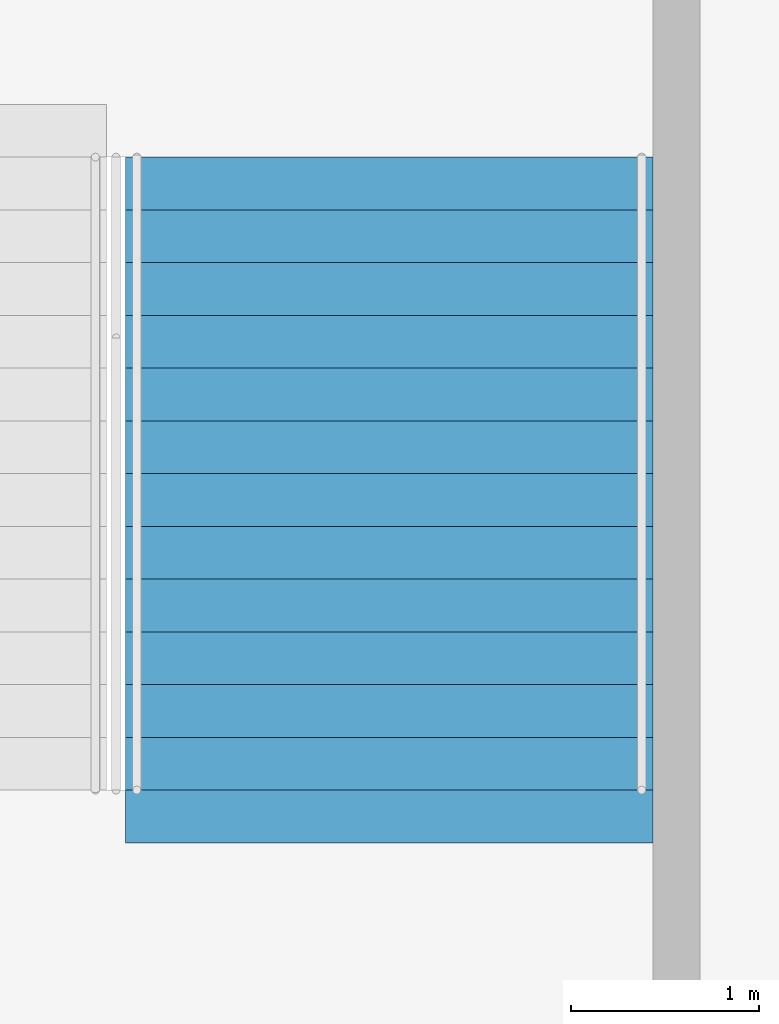
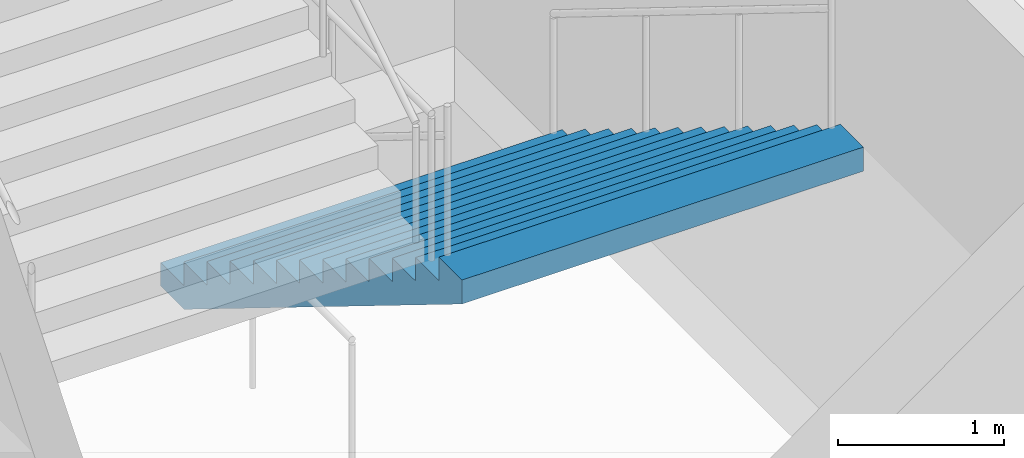
# One storey, part 97 of 177: 1 stair flight, 1 element without a shape of its own.
"""IFC4 building model written with IfcOpenShell, lengths in metres."""

from ifc_helpers import new_model, si_unit, direction, frame, origin, place, context, subcontext, project, spatial, faceted_brep, material, type_object, element, aggregate, save


model = new_model("IFC4")

# Units and contexts
model_context = context("Model", 3, precision=1e-05, world=origin(), true_north=direction((0.0, 1.0)))
body_context = subcontext(model_context, "Body", "Model", "MODEL_VIEW")
ifc_project = project(units=[si_unit("LENGTHUNIT", "METRE"), si_unit("AREAUNIT", "SQUARE_METRE"), si_unit("VOLUMEUNIT", "CUBIC_METRE"), si_unit("PLANEANGLEUNIT", "RADIAN"), si_unit("MASSUNIT", "GRAM", prefix="KILO")], contexts=[model_context])

# Site, building, storey
site_placement = place(None, origin())
site = spatial("IfcSite", under=ifc_project, at=site_placement, CompositionType="ELEMENT")
building_placement = place(site_placement, origin())
building = spatial("IfcBuilding", under=site, at=building_placement, Name="Ogive Plaza Stadium", CompositionType="ELEMENT")
storey_placement = place(building_placement, frame((0.0, 0.0, 18.0)))
storey = spatial("IfcBuildingStorey", under=building, at=storey_placement, Name="L04", CompositionType="ELEMENT", Elevation=18.0)

# Stair, stair flight
ifc_material_1 = material(Name="Concrete C40/50", Category="concrete")
stair_type = type_object("IfcStairType", Name="Exit stair", PredefinedType="STRAIGHT_RUN_STAIR", material=ifc_material_1)
stair_placement = place(storey_placement, origin())
stair = element("IfcStair", 1, at=stair_placement, inside=storey, type_object=stair_type, Name="Exit stair ST16B L04 to L05", PredefinedType="STRAIGHT_RUN_STAIR")
ifc_material_2 = material(Name="Concrete C40/50", Category="concrete")
stair_flight_type = type_object("IfcStairFlightType", Name="Exit stair flight", PredefinedType="STRAIGHT", material=ifc_material_2)
stair_flight_placement = place(storey_placement, frame((-15.97509765625, -94.85009765625, 0.0), z_axis=(0.0, 0.0, 1.0), x_axis=(0.0, -1.0, 0.0)))
stair_flight = element("IfcStairFlight", 2, at=stair_flight_placement, type_object=stair_flight_type, Name="ST16B flight 1", NumberOfRisers=13, NumberOfTreads=12, PredefinedType="STRAIGHT", RiserHeight=0.173076923, TreadLength=0.28, context=body_context, shape_type="Brep", body=[
    faceted_brep([(0.28515625, -1.39990234375, 0.0), (3.639892578125, -1.39990234375, 2.07373046875), (3.639892578125, -1.39990234375, 2.25), (3.360107421875, -1.39990234375, 2.25), (3.360107421875, -1.39990234375, 2.076904296875), (3.080078125, -1.39990234375, 2.076904296875), (3.080078125, -1.39990234375, 1.90380859375), (2.800048828125, -1.39990234375, 1.90380859375), (2.800048828125, -1.39990234375, 1.730712890625), (2.52001953125, -1.39990234375, 1.730712890625), (2.52001953125, -1.39990234375, 1.5576171875), (2.239990234375, -1.39990234375, 1.5576171875), (2.239990234375, -1.39990234375, 1.384521484375), (1.9599609375, -1.39990234375, 1.384521484375), (1.9599609375, -1.39990234375, 1.21142578125), (1.679931640625, -1.39990234375, 1.21142578125), (1.679931640625, -1.39990234375, 1.03857421875), (1.39990234375, -1.39990234375, 1.03857421875), (1.39990234375, -1.39990234375, 0.865478515625), (1.1201171875, -1.39990234375, 0.865478515625), (1.1201171875, -1.39990234375, 0.6923828125), (0.840087890625, -1.39990234375, 0.6923828125), (0.840087890625, -1.39990234375, 0.519287109375), (0.56005859375, -1.39990234375, 0.519287109375), (0.56005859375, -1.39990234375, 0.34619140625), (0.280029296875, -1.39990234375, 0.34619140625), (0.280029296875, -1.39990234375, 0.173095703125), (0.0, -1.39990234375, 0.173095703125), (0.0, -1.39990234375, 0.0), (0.0, 1.39990234375, 0.0), (0.0, 1.39990234375, 0.173095703125), (0.280029296875, 1.39990234375, 0.173095703125), (0.280029296875, 1.39990234375, 0.34619140625), (0.56005859375, 1.39990234375, 0.34619140625), (0.56005859375, 1.39990234375, 0.519287109375), (0.840087890625, 1.39990234375, 0.519287109375), (0.840087890625, 1.39990234375, 0.6923828125), (1.1201171875, 1.39990234375, 0.6923828125), (1.1201171875, 1.39990234375, 0.865478515625), (1.39990234375, 1.39990234375, 0.865478515625), (1.39990234375, 1.39990234375, 1.03857421875), (1.679931640625, 1.39990234375, 1.03857421875), (1.679931640625, 1.39990234375, 1.21142578125), (1.9599609375, 1.39990234375, 1.21142578125), (1.9599609375, 1.39990234375, 1.384521484375), (2.239990234375, 1.39990234375, 1.384521484375), (2.239990234375, 1.39990234375, 1.5576171875), (2.52001953125, 1.39990234375, 1.5576171875), (2.52001953125, 1.39990234375, 1.730712890625), (2.800048828125, 1.39990234375, 1.730712890625), (2.800048828125, 1.39990234375, 1.90380859375), (3.080078125, 1.39990234375, 1.90380859375), (3.080078125, 1.39990234375, 2.076904296875), (3.360107421875, 1.39990234375, 2.076904296875), (3.360107421875, 1.39990234375, 2.25), (3.639892578125, 1.39990234375, 2.25), (3.639892578125, 1.39990234375, 2.07373046875), (0.28515625, 1.39990234375, 0.0), (0.28515625, -1.0888671875, 0.0), (3.639892578125, -1.0888671875, 2.07373046875), (0.28515625, -0.77783203125, 0.0), (3.639892578125, -0.77783203125, 2.07373046875), (0.28515625, -0.466796875, 0.0), (3.639892578125, -0.466796875, 2.07373046875), (0.28515625, -0.155517578125, 0.0), (3.639892578125, -0.155517578125, 2.07373046875), (0.28515625, 0.155517578125, 0.0), (3.639892578125, 0.155517578125, 2.07373046875), (0.28515625, 0.466796875, 0.0), (3.639892578125, 0.466796875, 2.07373046875), (0.28515625, 0.77783203125, 0.0), (3.639892578125, 0.77783203125, 2.07373046875), (0.28515625, 1.0888671875, 0.0), (3.639892578125, 1.0888671875, 2.07373046875), (3.639892578125, -1.0888671875, 2.25), (3.639892578125, -0.77783203125, 2.25), (3.639892578125, -0.466796875, 2.25), (3.639892578125, -0.155517578125, 2.25), (3.639892578125, 0.155517578125, 2.25), (3.639892578125, 0.466796875, 2.25), (3.639892578125, 0.77783203125, 2.25), (3.639892578125, 1.0888671875, 2.25), (3.360107421875, -1.0888671875, 2.25), (3.360107421875, -0.77783203125, 2.25), (3.360107421875, -0.466796875, 2.25), (3.360107421875, -0.155517578125, 2.25), (3.360107421875, 0.155517578125, 2.25), (3.360107421875, 0.466796875, 2.25), (3.360107421875, 0.77783203125, 2.25), (3.360107421875, 1.0888671875, 2.25), (3.360107421875, -1.0888671875, 2.076904296875), (3.360107421875, -0.77783203125, 2.076904296875), (3.360107421875, -0.466796875, 2.076904296875), (3.360107421875, -0.155517578125, 2.076904296875), (3.360107421875, 0.155517578125, 2.076904296875), (3.360107421875, 0.466796875, 2.076904296875), (3.360107421875, 0.77783203125, 2.076904296875), (3.360107421875, 1.0888671875, 2.076904296875), (3.080078125, -1.0888671875, 2.076904296875), (3.080078125, -0.77783203125, 2.076904296875), (3.080078125, -0.466796875, 2.076904296875), (3.080078125, -0.155517578125, 2.076904296875), (3.080078125, 0.155517578125, 2.076904296875), (3.080078125, 0.466796875, 2.076904296875), (3.080078125, 0.77783203125, 2.076904296875), (3.080078125, 1.0888671875, 2.076904296875), (3.080078125, -1.0888671875, 1.90380859375), (3.080078125, -0.77783203125, 1.90380859375), (3.080078125, -0.466796875, 1.90380859375), (3.080078125, -0.155517578125, 1.90380859375), (3.080078125, 0.155517578125, 1.90380859375), (3.080078125, 0.466796875, 1.90380859375), (3.080078125, 0.77783203125, 1.90380859375), (3.080078125, 1.0888671875, 1.90380859375), (2.800048828125, -1.0888671875, 1.90380859375), (2.800048828125, -0.77783203125, 1.90380859375), (2.800048828125, -0.466796875, 1.90380859375), (2.800048828125, -0.155517578125, 1.90380859375), (2.800048828125, 0.155517578125, 1.90380859375), (2.800048828125, 0.466796875, 1.90380859375), (2.800048828125, 0.77783203125, 1.90380859375), (2.800048828125, 1.0888671875, 1.90380859375), (2.800048828125, -1.0888671875, 1.730712890625), (2.800048828125, -0.77783203125, 1.730712890625), (2.800048828125, -0.466796875, 1.730712890625), (2.800048828125, -0.155517578125, 1.730712890625), (2.800048828125, 0.155517578125, 1.730712890625), (2.800048828125, 0.466796875, 1.730712890625), (2.800048828125, 0.77783203125, 1.730712890625), (2.800048828125, 1.0888671875, 1.730712890625), (2.52001953125, -1.0888671875, 1.730712890625), (2.52001953125, -0.77783203125, 1.730712890625), (2.52001953125, -0.466796875, 1.730712890625), (2.52001953125, -0.155517578125, 1.730712890625), (2.52001953125, 0.155517578125, 1.730712890625), (2.52001953125, 0.466796875, 1.730712890625), (2.52001953125, 0.77783203125, 1.730712890625), (2.52001953125, 1.0888671875, 1.730712890625), (2.52001953125, -1.0888671875, 1.5576171875), (2.52001953125, -0.77783203125, 1.5576171875), (2.52001953125, -0.466796875, 1.5576171875), (2.52001953125, -0.155517578125, 1.5576171875), (2.52001953125, 0.155517578125, 1.5576171875), (2.52001953125, 0.466796875, 1.5576171875), (2.52001953125, 0.77783203125, 1.5576171875), (2.52001953125, 1.0888671875, 1.5576171875), (2.239990234375, -1.0888671875, 1.5576171875), (2.239990234375, -0.77783203125, 1.5576171875), (2.239990234375, -0.466796875, 1.5576171875), (2.239990234375, -0.155517578125, 1.5576171875), (2.239990234375, 0.155517578125, 1.5576171875), (2.239990234375, 0.466796875, 1.5576171875), (2.239990234375, 0.77783203125, 1.5576171875), (2.239990234375, 1.0888671875, 1.5576171875), (2.239990234375, -1.0888671875, 1.384521484375), (2.239990234375, -0.77783203125, 1.384521484375), (2.239990234375, -0.466796875, 1.384521484375), (2.239990234375, -0.155517578125, 1.384521484375), (2.239990234375, 0.155517578125, 1.384521484375), (2.239990234375, 0.466796875, 1.384521484375), (2.239990234375, 0.77783203125, 1.384521484375), (2.239990234375, 1.0888671875, 1.384521484375), (1.9599609375, -1.0888671875, 1.384521484375), (1.9599609375, -0.77783203125, 1.384521484375), (1.9599609375, -0.466796875, 1.384521484375), (1.9599609375, -0.155517578125, 1.384521484375), (1.9599609375, 0.155517578125, 1.384521484375), (1.9599609375, 0.466796875, 1.384521484375), (1.9599609375, 0.77783203125, 1.384521484375), (1.9599609375, 1.0888671875, 1.384521484375), (1.9599609375, -1.0888671875, 1.21142578125), (1.9599609375, -0.77783203125, 1.21142578125), (1.9599609375, -0.466796875, 1.21142578125), (1.9599609375, -0.155517578125, 1.21142578125), (1.9599609375, 0.155517578125, 1.21142578125), (1.9599609375, 0.466796875, 1.21142578125), (1.9599609375, 0.77783203125, 1.21142578125), (1.9599609375, 1.0888671875, 1.21142578125), (1.679931640625, -1.0888671875, 1.21142578125), (1.679931640625, -0.77783203125, 1.21142578125), (1.679931640625, -0.466796875, 1.21142578125), (1.679931640625, -0.155517578125, 1.21142578125), (1.679931640625, 0.155517578125, 1.21142578125), (1.679931640625, 0.466796875, 1.21142578125), (1.679931640625, 0.77783203125, 1.21142578125), (1.679931640625, 1.0888671875, 1.21142578125), (1.679931640625, -1.0888671875, 1.03857421875), (1.679931640625, -0.77783203125, 1.03857421875), (1.679931640625, -0.466796875, 1.03857421875), (1.679931640625, -0.155517578125, 1.03857421875), (1.679931640625, 0.155517578125, 1.03857421875), (1.679931640625, 0.466796875, 1.03857421875), (1.679931640625, 0.77783203125, 1.03857421875), (1.679931640625, 1.0888671875, 1.03857421875), (1.39990234375, -1.0888671875, 1.03857421875), (1.39990234375, -0.77783203125, 1.03857421875), (1.39990234375, -0.466796875, 1.03857421875), (1.39990234375, -0.155517578125, 1.03857421875), (1.39990234375, 0.155517578125, 1.03857421875), (1.39990234375, 0.466796875, 1.03857421875), (1.39990234375, 0.77783203125, 1.03857421875), (1.39990234375, 1.0888671875, 1.03857421875), (1.39990234375, -1.0888671875, 0.865478515625), (1.39990234375, -0.77783203125, 0.865478515625), (1.39990234375, -0.466796875, 0.865478515625), (1.39990234375, -0.155517578125, 0.865478515625), (1.39990234375, 0.155517578125, 0.865478515625), (1.39990234375, 0.466796875, 0.865478515625), (1.39990234375, 0.77783203125, 0.865478515625), (1.39990234375, 1.0888671875, 0.865478515625), (1.1201171875, -1.0888671875, 0.865478515625), (1.1201171875, -0.77783203125, 0.865478515625), (1.1201171875, -0.466796875, 0.865478515625), (1.1201171875, -0.155517578125, 0.865478515625), (1.1201171875, 0.155517578125, 0.865478515625), (1.1201171875, 0.466796875, 0.865478515625), (1.1201171875, 0.77783203125, 0.865478515625), (1.1201171875, 1.0888671875, 0.865478515625), (1.1201171875, -1.0888671875, 0.6923828125), (1.1201171875, -0.77783203125, 0.6923828125), (1.1201171875, -0.466796875, 0.6923828125), (1.1201171875, -0.155517578125, 0.6923828125), (1.1201171875, 0.155517578125, 0.6923828125), (1.1201171875, 0.466796875, 0.6923828125), (1.1201171875, 0.77783203125, 0.6923828125), (1.1201171875, 1.0888671875, 0.6923828125), (0.840087890625, -1.0888671875, 0.6923828125), (0.840087890625, -0.77783203125, 0.6923828125), (0.840087890625, -0.466796875, 0.6923828125), (0.840087890625, -0.155517578125, 0.6923828125), (0.840087890625, 0.155517578125, 0.6923828125), (0.840087890625, 0.466796875, 0.6923828125), (0.840087890625, 0.77783203125, 0.6923828125), (0.840087890625, 1.0888671875, 0.6923828125), (0.840087890625, -1.0888671875, 0.519287109375), (0.840087890625, -0.77783203125, 0.519287109375), (0.840087890625, -0.466796875, 0.519287109375), (0.840087890625, -0.155517578125, 0.519287109375), (0.840087890625, 0.155517578125, 0.519287109375), (0.840087890625, 0.466796875, 0.519287109375), (0.840087890625, 0.77783203125, 0.519287109375), (0.840087890625, 1.0888671875, 0.519287109375), (0.56005859375, -1.0888671875, 0.519287109375), (0.56005859375, -0.77783203125, 0.519287109375), (0.56005859375, -0.466796875, 0.519287109375), (0.56005859375, -0.155517578125, 0.519287109375), (0.56005859375, 0.155517578125, 0.519287109375), (0.56005859375, 0.466796875, 0.519287109375), (0.56005859375, 0.77783203125, 0.519287109375), (0.56005859375, 1.0888671875, 0.519287109375), (0.56005859375, -1.0888671875, 0.34619140625), (0.56005859375, -0.77783203125, 0.34619140625), (0.56005859375, -0.466796875, 0.34619140625), (0.56005859375, -0.155517578125, 0.34619140625), (0.56005859375, 0.155517578125, 0.34619140625), (0.56005859375, 0.466796875, 0.34619140625), (0.56005859375, 0.77783203125, 0.34619140625), (0.56005859375, 1.0888671875, 0.34619140625), (0.280029296875, -1.0888671875, 0.34619140625), (0.280029296875, -0.77783203125, 0.34619140625), (0.280029296875, -0.466796875, 0.34619140625), (0.280029296875, -0.155517578125, 0.34619140625), (0.280029296875, 0.155517578125, 0.34619140625), (0.280029296875, 0.466796875, 0.34619140625), (0.280029296875, 0.77783203125, 0.34619140625), (0.280029296875, 1.0888671875, 0.34619140625), (0.280029296875, -1.0888671875, 0.173095703125), (0.280029296875, -0.77783203125, 0.173095703125), (0.280029296875, -0.466796875, 0.173095703125), (0.280029296875, -0.155517578125, 0.173095703125), (0.280029296875, 0.155517578125, 0.173095703125), (0.280029296875, 0.466796875, 0.173095703125), (0.280029296875, 0.77783203125, 0.173095703125), (0.280029296875, 1.0888671875, 0.173095703125), (0.0, -1.0888671875, 0.173095703125), (0.0, -0.77783203125, 0.173095703125), (0.0, -0.466796875, 0.173095703125), (0.0, -0.155517578125, 0.173095703125), (0.0, 0.155517578125, 0.173095703125), (0.0, 0.466796875, 0.173095703125), (0.0, 0.77783203125, 0.173095703125), (0.0, 1.0888671875, 0.173095703125), (0.0, -1.0888671875, 0.0), (0.0, -0.77783203125, 0.0), (0.0, -0.466796875, 0.0), (0.0, -0.155517578125, 0.0), (0.0, 0.155517578125, 0.0), (0.0, 0.466796875, 0.0), (0.0, 0.77783203125, 0.0), (0.0, 1.0888671875, 0.0)], [[[0, 1, 2, 3, 4, 5, 6, 7, 8, 9, 10, 11, 12, 13, 14, 15, 16, 17, 18, 19, 20, 21, 22, 23, 24, 25, 26, 27, 28]], [[29, 30, 31, 32, 33, 34, 35, 36, 37, 38, 39, 40, 41, 42, 43, 44, 45, 46, 47, 48, 49, 50, 51, 52, 53, 54, 55, 56, 57]], [[0, 58, 59, 1]], [[58, 60, 61, 59]], [[60, 62, 63, 61]], [[62, 64, 65, 63]], [[64, 66, 67, 65]], [[66, 68, 69, 67]], [[68, 70, 71, 69]], [[70, 72, 73, 71]], [[72, 57, 56, 73]], [[1, 59, 74, 2]], [[59, 61, 75, 74]], [[61, 63, 76, 75]], [[63, 65, 77, 76]], [[65, 67, 78, 77]], [[67, 69, 79, 78]], [[69, 71, 80, 79]], [[71, 73, 81, 80]], [[73, 56, 55, 81]], [[2, 74, 82, 3]], [[74, 75, 83, 82]], [[75, 76, 84, 83]], [[76, 77, 85, 84]], [[77, 78, 86, 85]], [[78, 79, 87, 86]], [[79, 80, 88, 87]], [[80, 81, 89, 88]], [[81, 55, 54, 89]], [[3, 82, 90, 4]], [[82, 83, 91, 90]], [[83, 84, 92, 91]], [[84, 85, 93, 92]], [[85, 86, 94, 93]], [[86, 87, 95, 94]], [[87, 88, 96, 95]], [[88, 89, 97, 96]], [[89, 54, 53, 97]], [[4, 90, 98, 5]], [[90, 91, 99, 98]], [[91, 92, 100, 99]], [[92, 93, 101, 100]], [[93, 94, 102, 101]], [[94, 95, 103, 102]], [[95, 96, 104, 103]], [[96, 97, 105, 104]], [[97, 53, 52, 105]], [[5, 98, 106, 6]], [[98, 99, 107, 106]], [[99, 100, 108, 107]], [[100, 101, 109, 108]], [[101, 102, 110, 109]], [[102, 103, 111, 110]], [[103, 104, 112, 111]], [[104, 105, 113, 112]], [[105, 52, 51, 113]], [[6, 106, 114, 7]], [[106, 107, 115, 114]], [[107, 108, 116, 115]], [[108, 109, 117, 116]], [[109, 110, 118, 117]], [[110, 111, 119, 118]], [[111, 112, 120, 119]], [[112, 113, 121, 120]], [[113, 51, 50, 121]], [[7, 114, 122, 8]], [[114, 115, 123, 122]], [[115, 116, 124, 123]], [[116, 117, 125, 124]], [[117, 118, 126, 125]], [[118, 119, 127, 126]], [[119, 120, 128, 127]], [[120, 121, 129, 128]], [[121, 50, 49, 129]], [[8, 122, 130, 9]], [[122, 123, 131, 130]], [[123, 124, 132, 131]], [[124, 125, 133, 132]], [[125, 126, 134, 133]], [[126, 127, 135, 134]], [[127, 128, 136, 135]], [[128, 129, 137, 136]], [[129, 49, 48, 137]], [[9, 130, 138, 10]], [[130, 131, 139, 138]], [[131, 132, 140, 139]], [[132, 133, 141, 140]], [[133, 134, 142, 141]], [[134, 135, 143, 142]], [[135, 136, 144, 143]], [[136, 137, 145, 144]], [[137, 48, 47, 145]], [[10, 138, 146, 11]], [[138, 139, 147, 146]], [[139, 140, 148, 147]], [[140, 141, 149, 148]], [[141, 142, 150, 149]], [[142, 143, 151, 150]], [[143, 144, 152, 151]], [[144, 145, 153, 152]], [[145, 47, 46, 153]], [[11, 146, 154, 12]], [[146, 147, 155, 154]], [[147, 148, 156, 155]], [[148, 149, 157, 156]], [[149, 150, 158, 157]], [[150, 151, 159, 158]], [[151, 152, 160, 159]], [[152, 153, 161, 160]], [[153, 46, 45, 161]], [[12, 154, 162, 13]], [[154, 155, 163, 162]], [[155, 156, 164, 163]], [[156, 157, 165, 164]], [[157, 158, 166, 165]], [[158, 159, 167, 166]], [[159, 160, 168, 167]], [[160, 161, 169, 168]], [[161, 45, 44, 169]], [[13, 162, 170, 14]], [[162, 163, 171, 170]], [[163, 164, 172, 171]], [[164, 165, 173, 172]], [[165, 166, 174, 173]], [[166, 167, 175, 174]], [[167, 168, 176, 175]], [[168, 169, 177, 176]], [[169, 44, 43, 177]], [[14, 170, 178, 15]], [[170, 171, 179, 178]], [[171, 172, 180, 179]], [[172, 173, 181, 180]], [[173, 174, 182, 181]], [[174, 175, 183, 182]], [[175, 176, 184, 183]], [[176, 177, 185, 184]], [[177, 43, 42, 185]], [[15, 178, 186, 16]], [[178, 179, 187, 186]], [[179, 180, 188, 187]], [[180, 181, 189, 188]], [[181, 182, 190, 189]], [[182, 183, 191, 190]], [[183, 184, 192, 191]], [[184, 185, 193, 192]], [[185, 42, 41, 193]], [[16, 186, 194, 17]], [[186, 187, 195, 194]], [[187, 188, 196, 195]], [[188, 189, 197, 196]], [[189, 190, 198, 197]], [[190, 191, 199, 198]], [[191, 192, 200, 199]], [[192, 193, 201, 200]], [[193, 41, 40, 201]], [[17, 194, 202, 18]], [[194, 195, 203, 202]], [[195, 196, 204, 203]], [[196, 197, 205, 204]], [[197, 198, 206, 205]], [[198, 199, 207, 206]], [[199, 200, 208, 207]], [[200, 201, 209, 208]], [[201, 40, 39, 209]], [[18, 202, 210, 19]], [[202, 203, 211, 210]], [[203, 204, 212, 211]], [[204, 205, 213, 212]], [[205, 206, 214, 213]], [[206, 207, 215, 214]], [[207, 208, 216, 215]], [[208, 209, 217, 216]], [[209, 39, 38, 217]], [[19, 210, 218, 20]], [[210, 211, 219, 218]], [[211, 212, 220, 219]], [[212, 213, 221, 220]], [[213, 214, 222, 221]], [[214, 215, 223, 222]], [[215, 216, 224, 223]], [[216, 217, 225, 224]], [[217, 38, 37, 225]], [[20, 218, 226, 21]], [[218, 219, 227, 226]], [[219, 220, 228, 227]], [[220, 221, 229, 228]], [[221, 222, 230, 229]], [[222, 223, 231, 230]], [[223, 224, 232, 231]], [[224, 225, 233, 232]], [[225, 37, 36, 233]], [[21, 226, 234, 22]], [[226, 227, 235, 234]], [[227, 228, 236, 235]], [[228, 229, 237, 236]], [[229, 230, 238, 237]], [[230, 231, 239, 238]], [[231, 232, 240, 239]], [[232, 233, 241, 240]], [[233, 36, 35, 241]], [[22, 234, 242, 23]], [[234, 235, 243, 242]], [[235, 236, 244, 243]], [[236, 237, 245, 244]], [[237, 238, 246, 245]], [[238, 239, 247, 246]], [[239, 240, 248, 247]], [[240, 241, 249, 248]], [[241, 35, 34, 249]], [[23, 242, 250, 24]], [[242, 243, 251, 250]], [[243, 244, 252, 251]], [[244, 245, 253, 252]], [[245, 246, 254, 253]], [[246, 247, 255, 254]], [[247, 248, 256, 255]], [[248, 249, 257, 256]], [[249, 34, 33, 257]], [[24, 250, 258, 25]], [[250, 251, 259, 258]], [[251, 252, 260, 259]], [[252, 253, 261, 260]], [[253, 254, 262, 261]], [[254, 255, 263, 262]], [[255, 256, 264, 263]], [[256, 257, 265, 264]], [[257, 33, 32, 265]], [[25, 258, 266, 26]], [[258, 259, 267, 266]], [[259, 260, 268, 267]], [[260, 261, 269, 268]], [[261, 262, 270, 269]], [[262, 263, 271, 270]], [[263, 264, 272, 271]], [[264, 265, 273, 272]], [[265, 32, 31, 273]], [[26, 266, 274, 27]], [[266, 267, 275, 274]], [[267, 268, 276, 275]], [[268, 269, 277, 276]], [[269, 270, 278, 277]], [[270, 271, 279, 278]], [[271, 272, 280, 279]], [[272, 273, 281, 280]], [[273, 31, 30, 281]], [[27, 274, 282, 28]], [[274, 275, 283, 282]], [[275, 276, 284, 283]], [[276, 277, 285, 284]], [[277, 278, 286, 285]], [[278, 279, 287, 286]], [[279, 280, 288, 287]], [[280, 281, 289, 288]], [[281, 30, 29, 289]], [[28, 282, 58, 0]], [[282, 283, 60, 58]], [[283, 284, 62, 60]], [[284, 285, 64, 62]], [[285, 286, 66, 64]], [[286, 287, 68, 66]], [[287, 288, 70, 68]], [[288, 289, 72, 70]], [[289, 29, 57, 72]]]),
])
aggregate(stair, [stair_flight])

save(model, "model.ifc")
